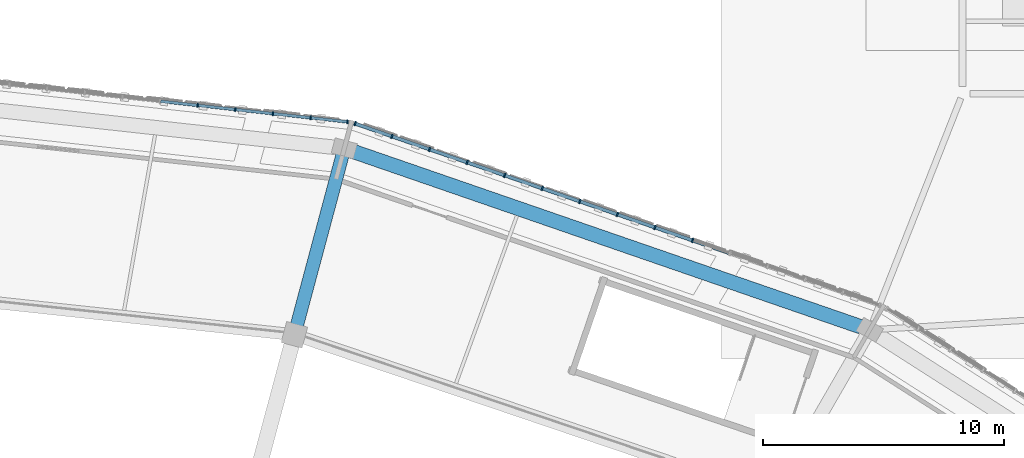
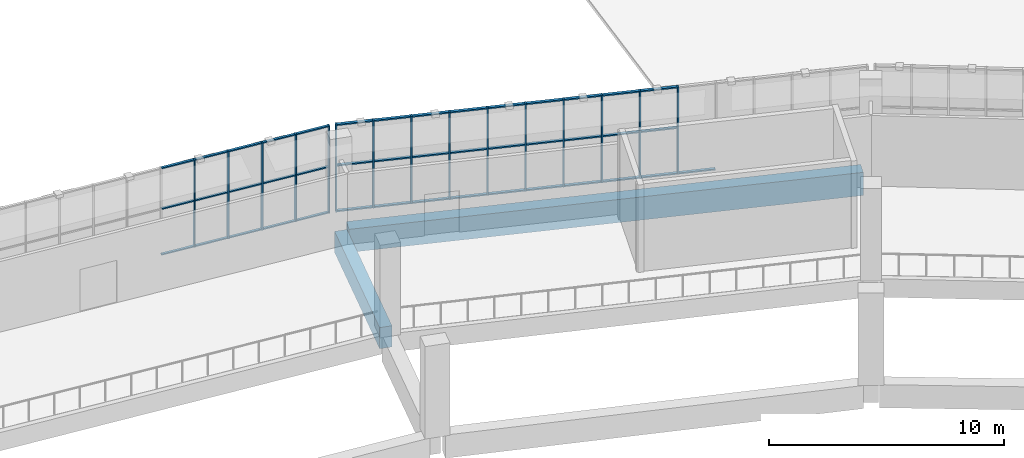
# One storey, part 47 of 108: 58 members, 2 beams, 2 elements without a shape of their own.
"""IFC4 building model written with IfcOpenShell, lengths in metres."""

from ifc_helpers import new_model, si_unit, direction, frame, origin, origin_2d, place, context, subcontext, project, spatial, rectangle, extrude, material, material_profile, profile_set, type_object, element, aggregate, save


model = new_model("IFC4")

# Units and contexts
model_context = context("Model", 3, precision=1e-05, world=origin(), true_north=direction((0.0, 1.0)))
body_context = subcontext(model_context, "Body", "Model", "MODEL_VIEW")
ifc_project = project(units=[si_unit("LENGTHUNIT", "METRE"), si_unit("AREAUNIT", "SQUARE_METRE"), si_unit("VOLUMEUNIT", "CUBIC_METRE"), si_unit("PLANEANGLEUNIT", "RADIAN"), si_unit("MASSUNIT", "GRAM", prefix="KILO")], contexts=[model_context])

# Site, building, storey
site_placement = place(None, origin())
site = spatial("IfcSite", under=ifc_project, at=site_placement, CompositionType="ELEMENT")
building_placement = place(site_placement, origin())
building = spatial("IfcBuilding", under=site, at=building_placement, Name="Zevraka Park Crest Stadium", CompositionType="ELEMENT")
storey_placement = place(building_placement, frame((0.0, 0.0, 19.800048828125)))
storey = spatial("IfcBuildingStorey", under=building, at=storey_placement, Name="L04", CompositionType="ELEMENT", Elevation=19.800048828125)

# Beam
ifc_material_1 = material(Name="Concrete C40/50", Category="concrete")
ifc_material_profile_1 = material_profile(ifc_material_1, rectangle(XDim=0.550048828125, YDim=1.10009765625, at=origin_2d()), Name="RC 1100x550")
ifc_profile_set_1 = profile_set([ifc_material_profile_1], Name="Concrete C40/50")
beam_type_1 = type_object("IfcBeamType", Name="BG02", PredefinedType="BEAM", material=ifc_profile_set_1)
beam_1_placement = place(storey_placement, frame((133.37890625, 157.297119140625, -0.56005859375), z_axis=(0.258697599806, 0.965958359276, 0.0), x_axis=(-0.965958359276, 0.258697599806, 0.0)))
element("IfcBeam", 1, at=beam_1_placement, inside=storey, type_object=beam_type_1, Name="Radial Girder BG02 L04-CD-05", PredefinedType="BEAM", context=body_context, shape_type="SweptSolid", body=[
    extrude(rectangle(XDim=0.550048828125, YDim=1.10009765625, at=origin_2d()), origin(), (0.0, 0.0, 1.0), 7.39892578125),
])

# Curtain wall, members
ifc_material_2 = material(Name="Anodised architectural aluminium and laminated safety glass", Category="aluminium")
curtain_wall_type_1 = type_object("IfcCurtainWallType", Name="CW16", PredefinedType="NOTDEFINED", material=ifc_material_2)
curtain_wall_1_placement = place(storey_placement, origin())
curtain_wall_1 = element("IfcCurtainWall", 2, at=curtain_wall_1_placement, inside=storey, type_object=curtain_wall_type_1, Name="Unitised Ring Curtain Wall CW16 L04-05", PredefinedType="NOTDEFINED")
ifc_material_3 = material(Name="Anodised architectural aluminium", Category="aluminium")
ifc_material_profile_2 = material_profile(ifc_material_3, rectangle(XDim=0.159912109375, YDim=0.06005859375, at=origin_2d()), Name="ALU MULLION 160x60")
ifc_profile_set_2 = profile_set([ifc_material_profile_2], Name="Anodised architectural aluminium")
member_type_1 = type_object("IfcMemberType", Name="CM01", PredefinedType="MULLION", material=ifc_profile_set_2)
member_1_placement = place(storey_placement, frame((135.504150390625, 165.832275390625, 0.0), z_axis=(0.0, 0.0, 1.0), x_axis=(-0.109405941967, -0.993997152844, 0.0)))
member_1 = element("IfcMember", 3, at=member_1_placement, type_object=member_type_1, Name="CW16 mullion 1", PredefinedType="MULLION", context=body_context, shape_type="SweptSolid", body=[
    extrude(rectangle(XDim=0.159912109375, YDim=0.06005859375, at=origin_2d()), origin(), (0.0, 0.0, 1.0), 4.5400390625),
])
member_2_placement = place(storey_placement, frame((133.9736328125, 166.000732421875, 0.0), z_axis=(0.0, 0.0, 1.0), x_axis=(-0.109405941967, -0.993997152844, 0.0)))
member_2 = element("IfcMember", 4, at=member_2_placement, type_object=member_type_1, Name="CW16 mullion 2", PredefinedType="MULLION", context=body_context, shape_type="SweptSolid", body=[
    extrude(rectangle(XDim=0.159912109375, YDim=0.06005859375, at=origin_2d()), origin(), (0.0, 0.0, 1.0), 4.5400390625),
])
member_3_placement = place(storey_placement, frame((132.41357421875, 166.17236328125, 0.0), z_axis=(0.0, 0.0, 1.0), x_axis=(-0.109405941967, -0.993997152844, 0.0)))
member_3 = element("IfcMember", 5, at=member_3_placement, type_object=member_type_1, Name="CW16 mullion 3", PredefinedType="MULLION", context=body_context, shape_type="SweptSolid", body=[
    extrude(rectangle(XDim=0.159912109375, YDim=0.06005859375, at=origin_2d()), origin(), (0.0, 0.0, 1.0), 4.5400390625),
])
member_4_placement = place(storey_placement, frame((130.853271484375, 166.34423828125, 0.0), z_axis=(0.0, 0.0, 1.0), x_axis=(-0.109405941967, -0.993997152844, 0.0)))
member_4 = element("IfcMember", 6, at=member_4_placement, type_object=member_type_1, Name="CW16 mullion 4", PredefinedType="MULLION", context=body_context, shape_type="SweptSolid", body=[
    extrude(rectangle(XDim=0.159912109375, YDim=0.06005859375, at=origin_2d()), origin(), (0.0, 0.0, 1.0), 4.5400390625),
])
member_5_placement = place(storey_placement, frame((129.29296875, 166.515869140625, 0.0), z_axis=(0.0, 0.0, 1.0), x_axis=(-0.109405941967, -0.993997152844, 0.0)))
member_5 = element("IfcMember", 7, at=member_5_placement, type_object=member_type_1, Name="CW16 mullion 5", PredefinedType="MULLION", context=body_context, shape_type="SweptSolid", body=[
    extrude(rectangle(XDim=0.159912109375, YDim=0.06005859375, at=origin_2d()), origin(), (0.0, 0.0, 1.0), 4.5400390625),
])

ifc_material_4 = material(Name="Anodised architectural aluminium and laminated safety glass", Category="aluminium")
curtain_wall_type_2 = type_object("IfcCurtainWallType", Name="CW17", PredefinedType="NOTDEFINED", material=ifc_material_4)
curtain_wall_2_placement = place(storey_placement, origin())
curtain_wall_2 = element("IfcCurtainWall", 8, at=curtain_wall_2_placement, inside=storey, type_object=curtain_wall_type_2, Name="Unitised Ring Curtain Wall CW17 L04-04", PredefinedType="NOTDEFINED")
ifc_material_5 = material(Name="Anodised architectural aluminium", Category="aluminium")
ifc_material_profile_3 = material_profile(ifc_material_5, rectangle(XDim=0.179931640625, YDim=0.06494140625, at=origin_2d()), Name="ALU MULLION 180x65")
ifc_profile_set_3 = profile_set([ifc_material_profile_3], Name="Anodised architectural aluminium")
member_type_2 = type_object("IfcMemberType", Name="CM02", PredefinedType="MULLION", material=ifc_profile_set_3)
member_6_placement = place(storey_placement, frame((149.804931640625, 160.917724609375, 0.0), z_axis=(0.0, 0.0, 1.0), x_axis=(-0.327244524523, -0.944939691816, 0.0)))
member_6 = element("IfcMember", 9, at=member_6_placement, type_object=member_type_2, Name="CW17 mullion 6", PredefinedType="MULLION", context=body_context, shape_type="SweptSolid", body=[
    extrude(rectangle(XDim=0.179931640625, YDim=0.06494140625, at=origin_2d()), origin(), (0.0, 0.0, 1.0), 4.5400390625),
])
member_7_placement = place(storey_placement, frame((148.247314453125, 161.45703125, 0.0), z_axis=(0.0, 0.0, 1.0), x_axis=(-0.327244524523, -0.944939691816, 0.0)))
member_7 = element("IfcMember", 10, at=member_7_placement, type_object=member_type_2, Name="CW17 mullion 7", PredefinedType="MULLION", context=body_context, shape_type="SweptSolid", body=[
    extrude(rectangle(XDim=0.179931640625, YDim=0.06494140625, at=origin_2d()), origin(), (0.0, 0.0, 1.0), 4.5400390625),
])
member_8_placement = place(storey_placement, frame((146.68994140625, 161.99658203125, 0.0), z_axis=(0.0, 0.0, 1.0), x_axis=(-0.327244524523, -0.944939691816, 0.0)))
member_8 = element("IfcMember", 11, at=member_8_placement, type_object=member_type_2, Name="CW17 mullion 8", PredefinedType="MULLION", context=body_context, shape_type="SweptSolid", body=[
    extrude(rectangle(XDim=0.179931640625, YDim=0.06494140625, at=origin_2d()), origin(), (0.0, 0.0, 1.0), 4.5400390625),
])
member_9_placement = place(storey_placement, frame((145.132568359375, 162.535888671875, 0.0), z_axis=(0.0, 0.0, 1.0), x_axis=(-0.327244524523, -0.944939691816, 0.0)))
member_9 = element("IfcMember", 12, at=member_9_placement, type_object=member_type_2, Name="CW17 mullion 9", PredefinedType="MULLION", context=body_context, shape_type="SweptSolid", body=[
    extrude(rectangle(XDim=0.179931640625, YDim=0.06494140625, at=origin_2d()), origin(), (0.0, 0.0, 1.0), 4.5400390625),
])
member_10_placement = place(storey_placement, frame((143.5751953125, 163.0751953125, 0.0), z_axis=(0.0, 0.0, 1.0), x_axis=(-0.327244524523, -0.944939691816, 0.0)))
member_10 = element("IfcMember", 13, at=member_10_placement, type_object=member_type_2, Name="CW17 mullion 10", PredefinedType="MULLION", context=body_context, shape_type="SweptSolid", body=[
    extrude(rectangle(XDim=0.179931640625, YDim=0.06494140625, at=origin_2d()), origin(), (0.0, 0.0, 1.0), 4.5400390625),
])
member_11_placement = place(storey_placement, frame((142.017822265625, 163.614501953125, 0.0), z_axis=(0.0, 0.0, 1.0), x_axis=(-0.327244524523, -0.944939691816, 0.0)))
member_11 = element("IfcMember", 14, at=member_11_placement, type_object=member_type_2, Name="CW17 mullion 11", PredefinedType="MULLION", context=body_context, shape_type="SweptSolid", body=[
    extrude(rectangle(XDim=0.179931640625, YDim=0.06494140625, at=origin_2d()), origin(), (0.0, 0.0, 1.0), 4.5400390625),
])
member_12_placement = place(storey_placement, frame((140.460205078125, 164.15380859375, 0.0), z_axis=(0.0, 0.0, 1.0), x_axis=(-0.327244524523, -0.944939691816, 0.0)))
member_12 = element("IfcMember", 15, at=member_12_placement, type_object=member_type_2, Name="CW17 mullion 12", PredefinedType="MULLION", context=body_context, shape_type="SweptSolid", body=[
    extrude(rectangle(XDim=0.179931640625, YDim=0.06494140625, at=origin_2d()), origin(), (0.0, 0.0, 1.0), 4.5400390625),
])
member_13_placement = place(storey_placement, frame((138.90283203125, 164.693359375, 0.0), z_axis=(0.0, 0.0, 1.0), x_axis=(-0.327244524523, -0.944939691816, 0.0)))
member_13 = element("IfcMember", 16, at=member_13_placement, type_object=member_type_2, Name="CW17 mullion 13", PredefinedType="MULLION", context=body_context, shape_type="SweptSolid", body=[
    extrude(rectangle(XDim=0.179931640625, YDim=0.06494140625, at=origin_2d()), origin(), (0.0, 0.0, 1.0), 4.5400390625),
])
member_14_placement = place(storey_placement, frame((137.345458984375, 165.232666015625, 0.0), z_axis=(0.0, 0.0, 1.0), x_axis=(-0.327244524523, -0.944939691816, 0.0)))
member_14 = element("IfcMember", 17, at=member_14_placement, type_object=member_type_2, Name="CW17 mullion 14", PredefinedType="MULLION", context=body_context, shape_type="SweptSolid", body=[
    extrude(rectangle(XDim=0.179931640625, YDim=0.06494140625, at=origin_2d()), origin(), (0.0, 0.0, 1.0), 4.5400390625),
])
member_15_placement = place(storey_placement, frame((135.818603515625, 165.761474609375, 0.0), z_axis=(0.0, 0.0, 1.0), x_axis=(-0.327244524523, -0.944939691816, 0.0)))
member_15 = element("IfcMember", 18, at=member_15_placement, type_object=member_type_2, Name="CW17 mullion 15", PredefinedType="MULLION", context=body_context, shape_type="SweptSolid", body=[
    extrude(rectangle(XDim=0.179931640625, YDim=0.06494140625, at=origin_2d()), origin(), (0.0, 0.0, 1.0), 4.5400390625),
])

# Member
ifc_material_6 = material(Name="Anodised architectural aluminium", Category="aluminium")
ifc_material_profile_4 = material_profile(ifc_material_6, rectangle(XDim=0.1201171875, YDim=0.06005859375, at=origin_2d()), Name="ALU TRANSOM 120x60")
ifc_profile_set_4 = profile_set([ifc_material_profile_4], Name="Anodised architectural aluminium")
member_type_3 = type_object("IfcMemberType", Name="CT01", PredefinedType="USERDEFINED", material=ifc_profile_set_4)
member_16_placement = place(storey_placement, frame((135.474365234375, 165.83544921875, 0.030029296875), z_axis=(-0.993979941823, 0.109562198103, 0.0), x_axis=(-0.109562198103, -0.993979941823, 0.0)))
member_16 = element("IfcMember", 19, at=member_16_placement, type_object=member_type_3, Name="CW16 transom 1.1", ObjectType="TRANSOM", PredefinedType="USERDEFINED", context=body_context, shape_type="SweptSolid", body=[
    extrude(rectangle(XDim=0.1201171875, YDim=0.06005859375, at=origin_2d()), origin(), (0.0, 0.0, 1.0), 1.4794921875),
])

member_17_placement = place(storey_placement, frame((135.474365234375, 165.83544921875, 2.39990234375), z_axis=(-0.993979941823, 0.109562198103, 0.0), x_axis=(-0.109562198103, -0.993979941823, 0.0)))
member_17 = element("IfcMember", 20, at=member_17_placement, type_object=member_type_3, Name="CW16 transom 1.2", ObjectType="TRANSOM", PredefinedType="USERDEFINED", context=body_context, shape_type="SweptSolid", body=[
    extrude(rectangle(XDim=0.1201171875, YDim=0.06005859375, at=origin_2d()), origin(), (0.0, 0.0, 1.0), 1.4794921875),
])

member_18_placement = place(storey_placement, frame((135.474365234375, 165.83544921875, 4.510009765625), z_axis=(-0.993979941823, 0.109562198103, 0.0), x_axis=(-0.109562198103, -0.993979941823, 0.0)))
member_18 = element("IfcMember", 21, at=member_18_placement, type_object=member_type_3, Name="CW16 transom 1.3", ObjectType="TRANSOM", PredefinedType="USERDEFINED", context=body_context, shape_type="SweptSolid", body=[
    extrude(rectangle(XDim=0.1201171875, YDim=0.06005859375, at=origin_2d()), origin(), (0.0, 0.0, 1.0), 1.4794921875),
])

member_19_placement = place(storey_placement, frame((133.94384765625, 166.00390625, 0.030029296875), z_axis=(-0.993987821711, 0.10949068586, 0.0), x_axis=(-0.10949068586, -0.993987821711, 0.0)))
member_19 = element("IfcMember", 22, at=member_19_placement, type_object=member_type_3, Name="CW16 transom 2.1", ObjectType="TRANSOM", PredefinedType="USERDEFINED", context=body_context, shape_type="SweptSolid", body=[
    extrude(rectangle(XDim=0.1201171875, YDim=0.06005859375, at=origin_2d()), origin(), (0.0, 0.0, 1.0), 1.509521484375),
])

member_20_placement = place(storey_placement, frame((133.94384765625, 166.00390625, 2.39990234375), z_axis=(-0.993987821711, 0.10949068586, 0.0), x_axis=(-0.10949068586, -0.993987821711, 0.0)))
member_20 = element("IfcMember", 23, at=member_20_placement, type_object=member_type_3, Name="CW16 transom 2.2", ObjectType="TRANSOM", PredefinedType="USERDEFINED", context=body_context, shape_type="SweptSolid", body=[
    extrude(rectangle(XDim=0.1201171875, YDim=0.06005859375, at=origin_2d()), origin(), (0.0, 0.0, 1.0), 1.509521484375),
])

member_21_placement = place(storey_placement, frame((133.94384765625, 166.00390625, 4.510009765625), z_axis=(-0.993987821711, 0.10949068586, 0.0), x_axis=(-0.10949068586, -0.993987821711, 0.0)))
member_21 = element("IfcMember", 24, at=member_21_placement, type_object=member_type_3, Name="CW16 transom 2.3", ObjectType="TRANSOM", PredefinedType="USERDEFINED", context=body_context, shape_type="SweptSolid", body=[
    extrude(rectangle(XDim=0.1201171875, YDim=0.06005859375, at=origin_2d()), origin(), (0.0, 0.0, 1.0), 1.509521484375),
])

member_22_placement = place(storey_placement, frame((132.383544921875, 166.17578125, 0.030029296875), z_axis=(-0.994005410559, 0.109330891236, 0.0), x_axis=(-0.109330891236, -0.994005410559, 0.0)))
member_22 = element("IfcMember", 25, at=member_22_placement, type_object=member_type_3, Name="CW16 transom 3.1", ObjectType="TRANSOM", PredefinedType="USERDEFINED", context=body_context, shape_type="SweptSolid", body=[
    extrude(rectangle(XDim=0.1201171875, YDim=0.06005859375, at=origin_2d()), origin(), (0.0, 0.0, 1.0), 1.509521484375),
])

member_23_placement = place(storey_placement, frame((132.383544921875, 166.17578125, 2.39990234375), z_axis=(-0.994005410559, 0.109330891236, 0.0), x_axis=(-0.109330891236, -0.994005410559, 0.0)))
member_23 = element("IfcMember", 26, at=member_23_placement, type_object=member_type_3, Name="CW16 transom 3.2", ObjectType="TRANSOM", PredefinedType="USERDEFINED", context=body_context, shape_type="SweptSolid", body=[
    extrude(rectangle(XDim=0.1201171875, YDim=0.06005859375, at=origin_2d()), origin(), (0.0, 0.0, 1.0), 1.509521484375),
])

member_24_placement = place(storey_placement, frame((132.383544921875, 166.17578125, 4.510009765625), z_axis=(-0.994005410559, 0.109330891236, 0.0), x_axis=(-0.109330891236, -0.994005410559, 0.0)))
member_24 = element("IfcMember", 27, at=member_24_placement, type_object=member_type_3, Name="CW16 transom 3.3", ObjectType="TRANSOM", PredefinedType="USERDEFINED", context=body_context, shape_type="SweptSolid", body=[
    extrude(rectangle(XDim=0.1201171875, YDim=0.06005859375, at=origin_2d()), origin(), (0.0, 0.0, 1.0), 1.509521484375),
])

member_25_placement = place(storey_placement, frame((130.823486328125, 166.347412109375, 0.030029296875), z_axis=(-0.993989760088, 0.109473087291, 0.0), x_axis=(-0.109473087291, -0.993989760088, 0.0)))
member_25 = element("IfcMember", 28, at=member_25_placement, type_object=member_type_3, Name="CW16 transom 4.1", ObjectType="TRANSOM", PredefinedType="USERDEFINED", context=body_context, shape_type="SweptSolid", body=[
    extrude(rectangle(XDim=0.1201171875, YDim=0.06005859375, at=origin_2d()), origin(), (0.0, 0.0, 1.0), 1.509765625),
])

member_26_placement = place(storey_placement, frame((130.823486328125, 166.347412109375, 2.39990234375), z_axis=(-0.993989760088, 0.109473087291, 0.0), x_axis=(-0.109473087291, -0.993989760088, 0.0)))
member_26 = element("IfcMember", 29, at=member_26_placement, type_object=member_type_3, Name="CW16 transom 4.2", ObjectType="TRANSOM", PredefinedType="USERDEFINED", context=body_context, shape_type="SweptSolid", body=[
    extrude(rectangle(XDim=0.1201171875, YDim=0.06005859375, at=origin_2d()), origin(), (0.0, 0.0, 1.0), 1.509765625),
])

member_27_placement = place(storey_placement, frame((130.823486328125, 166.347412109375, 4.510009765625), z_axis=(-0.993989760088, 0.109473087291, 0.0), x_axis=(-0.109473087291, -0.993989760088, 0.0)))
member_27 = element("IfcMember", 30, at=member_27_placement, type_object=member_type_3, Name="CW16 transom 4.3", ObjectType="TRANSOM", PredefinedType="USERDEFINED", context=body_context, shape_type="SweptSolid", body=[
    extrude(rectangle(XDim=0.1201171875, YDim=0.06005859375, at=origin_2d()), origin(), (0.0, 0.0, 1.0), 1.509765625),
])

member_28_placement = place(storey_placement, frame((129.26318359375, 166.519287109375, 0.030029296875), z_axis=(-0.994007343316, 0.109313317729, 0.0), x_axis=(-0.109313317729, -0.994007343316, 0.0)))
member_28 = element("IfcMember", 31, at=member_28_placement, type_object=member_type_3, Name="CW16 transom 5.1", ObjectType="TRANSOM", PredefinedType="USERDEFINED", context=body_context, shape_type="SweptSolid", body=[
    extrude(rectangle(XDim=0.1201171875, YDim=0.06005859375, at=origin_2d()), origin(), (0.0, 0.0, 1.0), 1.509765625),
])

member_29_placement = place(storey_placement, frame((129.26318359375, 166.519287109375, 2.39990234375), z_axis=(-0.994007343316, 0.109313317729, 0.0), x_axis=(-0.109313317729, -0.994007343316, 0.0)))
member_29 = element("IfcMember", 32, at=member_29_placement, type_object=member_type_3, Name="CW16 transom 5.2", ObjectType="TRANSOM", PredefinedType="USERDEFINED", context=body_context, shape_type="SweptSolid", body=[
    extrude(rectangle(XDim=0.1201171875, YDim=0.06005859375, at=origin_2d()), origin(), (0.0, 0.0, 1.0), 1.509765625),
])

member_30_placement = place(storey_placement, frame((129.26318359375, 166.519287109375, 4.510009765625), z_axis=(-0.994007343316, 0.109313317729, 0.0), x_axis=(-0.109313317729, -0.994007343316, 0.0)))
member_30 = element("IfcMember", 33, at=member_30_placement, type_object=member_type_3, Name="CW16 transom 5.3", ObjectType="TRANSOM", PredefinedType="USERDEFINED", context=body_context, shape_type="SweptSolid", body=[
    extrude(rectangle(XDim=0.1201171875, YDim=0.06005859375, at=origin_2d()), origin(), (0.0, 0.0, 1.0), 1.509765625),
])

aggregate(curtain_wall_1, [member_1, member_2, member_3, member_4, member_5, member_16, member_17, member_18, member_19, member_20, member_21, member_22, member_23, member_24, member_25, member_26, member_27, member_28, member_29, member_30])

ifc_material_7 = material(Name="Anodised architectural aluminium", Category="aluminium")
ifc_material_profile_5 = material_profile(ifc_material_7, rectangle(XDim=0.139892578125, YDim=0.06494140625, at=origin_2d()), Name="ALU TRANSOM 140x65")
ifc_profile_set_5 = profile_set([ifc_material_profile_5], Name="Anodised architectural aluminium")
member_type_4 = type_object("IfcMemberType", Name="CT02", PredefinedType="USERDEFINED", material=ifc_profile_set_5)
member_31_placement = place(storey_placement, frame((151.33154296875, 160.38916015625, 0.032470703125), z_axis=(-0.94494940126, 0.327216486533, 0.0), x_axis=(-0.327216486533, -0.94494940126, 0.0)))
member_31 = element("IfcMember", 34, at=member_31_placement, type_object=member_type_4, Name="CW17 transom 5.1", ObjectType="TRANSOM", PredefinedType="USERDEFINED", context=body_context, shape_type="SweptSolid", body=[
    extrude(rectangle(XDim=0.139892578125, YDim=0.06494140625, at=origin_2d()), origin(), (0.0, 0.0, 1.0), 1.583251953125),
])

member_32_placement = place(storey_placement, frame((149.774169921875, 160.928466796875, 0.032470703125), z_axis=(-0.94494940126, 0.327216486533, 0.0), x_axis=(-0.327216486533, -0.94494940126, 0.0)))
member_32 = element("IfcMember", 35, at=member_32_placement, type_object=member_type_4, Name="CW17 transom 6.1", ObjectType="TRANSOM", PredefinedType="USERDEFINED", context=body_context, shape_type="SweptSolid", body=[
    extrude(rectangle(XDim=0.139892578125, YDim=0.06494140625, at=origin_2d()), origin(), (0.0, 0.0, 1.0), 1.583251953125),
])

member_33_placement = place(storey_placement, frame((149.774169921875, 160.928466796875, 2.39990234375), z_axis=(-0.94494940126, 0.327216486533, 0.0), x_axis=(-0.327216486533, -0.94494940126, 0.0)))
member_33 = element("IfcMember", 36, at=member_33_placement, type_object=member_type_4, Name="CW17 transom 6.2", ObjectType="TRANSOM", PredefinedType="USERDEFINED", context=body_context, shape_type="SweptSolid", body=[
    extrude(rectangle(XDim=0.139892578125, YDim=0.06494140625, at=origin_2d()), origin(), (0.0, 0.0, 1.0), 1.583251953125),
])

member_34_placement = place(storey_placement, frame((149.774169921875, 160.928466796875, 4.507568359375), z_axis=(-0.94494940126, 0.327216486533, 0.0), x_axis=(-0.327216486533, -0.94494940126, 0.0)))
member_34 = element("IfcMember", 37, at=member_34_placement, type_object=member_type_4, Name="CW17 transom 6.3", ObjectType="TRANSOM", PredefinedType="USERDEFINED", context=body_context, shape_type="SweptSolid", body=[
    extrude(rectangle(XDim=0.139892578125, YDim=0.06494140625, at=origin_2d()), origin(), (0.0, 0.0, 1.0), 1.583251953125),
])

member_35_placement = place(storey_placement, frame((148.216796875, 161.4677734375, 0.032470703125), z_axis=(-0.94494940126, 0.327216486533, 0.0), x_axis=(-0.327216486533, -0.94494940126, 0.0)))
member_35 = element("IfcMember", 38, at=member_35_placement, type_object=member_type_4, Name="CW17 transom 7.1", ObjectType="TRANSOM", PredefinedType="USERDEFINED", context=body_context, shape_type="SweptSolid", body=[
    extrude(rectangle(XDim=0.139892578125, YDim=0.06494140625, at=origin_2d()), origin(), (0.0, 0.0, 1.0), 1.583251953125),
])

member_36_placement = place(storey_placement, frame((148.216796875, 161.4677734375, 2.39990234375), z_axis=(-0.94494940126, 0.327216486533, 0.0), x_axis=(-0.327216486533, -0.94494940126, 0.0)))
member_36 = element("IfcMember", 39, at=member_36_placement, type_object=member_type_4, Name="CW17 transom 7.2", ObjectType="TRANSOM", PredefinedType="USERDEFINED", context=body_context, shape_type="SweptSolid", body=[
    extrude(rectangle(XDim=0.139892578125, YDim=0.06494140625, at=origin_2d()), origin(), (0.0, 0.0, 1.0), 1.583251953125),
])

member_37_placement = place(storey_placement, frame((148.216796875, 161.4677734375, 4.507568359375), z_axis=(-0.94494940126, 0.327216486533, 0.0), x_axis=(-0.327216486533, -0.94494940126, 0.0)))
member_37 = element("IfcMember", 40, at=member_37_placement, type_object=member_type_4, Name="CW17 transom 7.3", ObjectType="TRANSOM", PredefinedType="USERDEFINED", context=body_context, shape_type="SweptSolid", body=[
    extrude(rectangle(XDim=0.139892578125, YDim=0.06494140625, at=origin_2d()), origin(), (0.0, 0.0, 1.0), 1.583251953125),
])

member_38_placement = place(storey_placement, frame((146.6591796875, 162.007080078125, 0.032470703125), z_axis=(-0.944932887153, 0.327264172766, 0.0), x_axis=(-0.327264172766, -0.944932887153, 0.0)))
member_38 = element("IfcMember", 41, at=member_38_placement, type_object=member_type_4, Name="CW17 transom 8.1", ObjectType="TRANSOM", PredefinedType="USERDEFINED", context=body_context, shape_type="SweptSolid", body=[
    extrude(rectangle(XDim=0.139892578125, YDim=0.06494140625, at=origin_2d()), origin(), (0.0, 0.0, 1.0), 1.5830078125),
])

member_39_placement = place(storey_placement, frame((146.6591796875, 162.007080078125, 2.39990234375), z_axis=(-0.944932887153, 0.327264172766, 0.0), x_axis=(-0.327264172766, -0.944932887153, 0.0)))
member_39 = element("IfcMember", 42, at=member_39_placement, type_object=member_type_4, Name="CW17 transom 8.2", ObjectType="TRANSOM", PredefinedType="USERDEFINED", context=body_context, shape_type="SweptSolid", body=[
    extrude(rectangle(XDim=0.139892578125, YDim=0.06494140625, at=origin_2d()), origin(), (0.0, 0.0, 1.0), 1.5830078125),
])

member_40_placement = place(storey_placement, frame((146.6591796875, 162.007080078125, 4.507568359375), z_axis=(-0.944932887153, 0.327264172766, 0.0), x_axis=(-0.327264172766, -0.944932887153, 0.0)))
member_40 = element("IfcMember", 43, at=member_40_placement, type_object=member_type_4, Name="CW17 transom 8.3", ObjectType="TRANSOM", PredefinedType="USERDEFINED", context=body_context, shape_type="SweptSolid", body=[
    extrude(rectangle(XDim=0.139892578125, YDim=0.06494140625, at=origin_2d()), origin(), (0.0, 0.0, 1.0), 1.5830078125),
])

member_41_placement = place(storey_placement, frame((145.101806640625, 162.54638671875, 0.032470703125), z_axis=(-0.944885186761, 0.327401869021, 0.0), x_axis=(-0.327401869021, -0.944885186761, 0.0)))
member_41 = element("IfcMember", 44, at=member_41_placement, type_object=member_type_4, Name="CW17 transom 9.1", ObjectType="TRANSOM", PredefinedType="USERDEFINED", context=body_context, shape_type="SweptSolid", body=[
    extrude(rectangle(XDim=0.139892578125, YDim=0.06494140625, at=origin_2d()), origin(), (0.0, 0.0, 1.0), 1.5830078125),
])

member_42_placement = place(storey_placement, frame((145.101806640625, 162.54638671875, 2.39990234375), z_axis=(-0.944885186761, 0.327401869021, 0.0), x_axis=(-0.327401869021, -0.944885186761, 0.0)))
member_42 = element("IfcMember", 45, at=member_42_placement, type_object=member_type_4, Name="CW17 transom 9.2", ObjectType="TRANSOM", PredefinedType="USERDEFINED", context=body_context, shape_type="SweptSolid", body=[
    extrude(rectangle(XDim=0.139892578125, YDim=0.06494140625, at=origin_2d()), origin(), (0.0, 0.0, 1.0), 1.5830078125),
])

member_43_placement = place(storey_placement, frame((145.101806640625, 162.54638671875, 4.507568359375), z_axis=(-0.944885186761, 0.327401869021, 0.0), x_axis=(-0.327401869021, -0.944885186761, 0.0)))
member_43 = element("IfcMember", 46, at=member_43_placement, type_object=member_type_4, Name="CW17 transom 9.3", ObjectType="TRANSOM", PredefinedType="USERDEFINED", context=body_context, shape_type="SweptSolid", body=[
    extrude(rectangle(XDim=0.139892578125, YDim=0.06494140625, at=origin_2d()), origin(), (0.0, 0.0, 1.0), 1.5830078125),
])

member_44_placement = place(storey_placement, frame((143.54443359375, 163.0859375, 0.032470703125), z_axis=(-0.94494940126, 0.327216486533, 0.0), x_axis=(-0.327216486533, -0.94494940126, 0.0)))
member_44 = element("IfcMember", 47, at=member_44_placement, type_object=member_type_4, Name="CW17 transom 10.1", ObjectType="TRANSOM", PredefinedType="USERDEFINED", context=body_context, shape_type="SweptSolid", body=[
    extrude(rectangle(XDim=0.139892578125, YDim=0.06494140625, at=origin_2d()), origin(), (0.0, 0.0, 1.0), 1.583251953125),
])

member_45_placement = place(storey_placement, frame((143.54443359375, 163.0859375, 2.39990234375), z_axis=(-0.94494940126, 0.327216486533, 0.0), x_axis=(-0.327216486533, -0.94494940126, 0.0)))
member_45 = element("IfcMember", 48, at=member_45_placement, type_object=member_type_4, Name="CW17 transom 10.2", ObjectType="TRANSOM", PredefinedType="USERDEFINED", context=body_context, shape_type="SweptSolid", body=[
    extrude(rectangle(XDim=0.139892578125, YDim=0.06494140625, at=origin_2d()), origin(), (0.0, 0.0, 1.0), 1.583251953125),
])

member_46_placement = place(storey_placement, frame((143.54443359375, 163.0859375, 4.507568359375), z_axis=(-0.94494940126, 0.327216486533, 0.0), x_axis=(-0.327216486533, -0.94494940126, 0.0)))
member_46 = element("IfcMember", 49, at=member_46_placement, type_object=member_type_4, Name="CW17 transom 10.3", ObjectType="TRANSOM", PredefinedType="USERDEFINED", context=body_context, shape_type="SweptSolid", body=[
    extrude(rectangle(XDim=0.139892578125, YDim=0.06494140625, at=origin_2d()), origin(), (0.0, 0.0, 1.0), 1.583251953125),
])

member_47_placement = place(storey_placement, frame((141.987060546875, 163.625244140625, 0.032470703125), z_axis=(-0.94494940126, 0.327216486533, 0.0), x_axis=(-0.327216486533, -0.94494940126, 0.0)))
member_47 = element("IfcMember", 50, at=member_47_placement, type_object=member_type_4, Name="CW17 transom 11.1", ObjectType="TRANSOM", PredefinedType="USERDEFINED", context=body_context, shape_type="SweptSolid", body=[
    extrude(rectangle(XDim=0.139892578125, YDim=0.06494140625, at=origin_2d()), origin(), (0.0, 0.0, 1.0), 1.583251953125),
])

member_48_placement = place(storey_placement, frame((141.987060546875, 163.625244140625, 2.39990234375), z_axis=(-0.94494940126, 0.327216486533, 0.0), x_axis=(-0.327216486533, -0.94494940126, 0.0)))
member_48 = element("IfcMember", 51, at=member_48_placement, type_object=member_type_4, Name="CW17 transom 11.2", ObjectType="TRANSOM", PredefinedType="USERDEFINED", context=body_context, shape_type="SweptSolid", body=[
    extrude(rectangle(XDim=0.139892578125, YDim=0.06494140625, at=origin_2d()), origin(), (0.0, 0.0, 1.0), 1.583251953125),
])

member_49_placement = place(storey_placement, frame((141.987060546875, 163.625244140625, 4.507568359375), z_axis=(-0.94494940126, 0.327216486533, 0.0), x_axis=(-0.327216486533, -0.94494940126, 0.0)))
member_49 = element("IfcMember", 52, at=member_49_placement, type_object=member_type_4, Name="CW17 transom 11.3", ObjectType="TRANSOM", PredefinedType="USERDEFINED", context=body_context, shape_type="SweptSolid", body=[
    extrude(rectangle(XDim=0.139892578125, YDim=0.06494140625, at=origin_2d()), origin(), (0.0, 0.0, 1.0), 1.583251953125),
])

member_50_placement = place(storey_placement, frame((140.4296875, 164.16455078125, 0.032470703125), z_axis=(-0.94494940126, 0.327216486533, 0.0), x_axis=(-0.327216486533, -0.94494940126, 0.0)))
member_50 = element("IfcMember", 53, at=member_50_placement, type_object=member_type_4, Name="CW17 transom 12.1", ObjectType="TRANSOM", PredefinedType="USERDEFINED", context=body_context, shape_type="SweptSolid", body=[
    extrude(rectangle(XDim=0.139892578125, YDim=0.06494140625, at=origin_2d()), origin(), (0.0, 0.0, 1.0), 1.583251953125),
])

member_51_placement = place(storey_placement, frame((140.4296875, 164.16455078125, 2.39990234375), z_axis=(-0.94494940126, 0.327216486533, 0.0), x_axis=(-0.327216486533, -0.94494940126, 0.0)))
member_51 = element("IfcMember", 54, at=member_51_placement, type_object=member_type_4, Name="CW17 transom 12.2", ObjectType="TRANSOM", PredefinedType="USERDEFINED", context=body_context, shape_type="SweptSolid", body=[
    extrude(rectangle(XDim=0.139892578125, YDim=0.06494140625, at=origin_2d()), origin(), (0.0, 0.0, 1.0), 1.583251953125),
])

member_52_placement = place(storey_placement, frame((140.4296875, 164.16455078125, 4.507568359375), z_axis=(-0.94494940126, 0.327216486533, 0.0), x_axis=(-0.327216486533, -0.94494940126, 0.0)))
member_52 = element("IfcMember", 55, at=member_52_placement, type_object=member_type_4, Name="CW17 transom 12.3", ObjectType="TRANSOM", PredefinedType="USERDEFINED", context=body_context, shape_type="SweptSolid", body=[
    extrude(rectangle(XDim=0.139892578125, YDim=0.06494140625, at=origin_2d()), origin(), (0.0, 0.0, 1.0), 1.583251953125),
])

member_53_placement = place(storey_placement, frame((138.8720703125, 164.703857421875, 0.032470703125), z_axis=(-0.944932887153, 0.327264172766, 0.0), x_axis=(-0.327264172766, -0.944932887153, 0.0)))
member_53 = element("IfcMember", 56, at=member_53_placement, type_object=member_type_4, Name="CW17 transom 13.1", ObjectType="TRANSOM", PredefinedType="USERDEFINED", context=body_context, shape_type="SweptSolid", body=[
    extrude(rectangle(XDim=0.139892578125, YDim=0.06494140625, at=origin_2d()), origin(), (0.0, 0.0, 1.0), 1.5830078125),
])

member_54_placement = place(storey_placement, frame((138.8720703125, 164.703857421875, 2.39990234375), z_axis=(-0.944932887153, 0.327264172766, 0.0), x_axis=(-0.327264172766, -0.944932887153, 0.0)))
member_54 = element("IfcMember", 57, at=member_54_placement, type_object=member_type_4, Name="CW17 transom 13.2", ObjectType="TRANSOM", PredefinedType="USERDEFINED", context=body_context, shape_type="SweptSolid", body=[
    extrude(rectangle(XDim=0.139892578125, YDim=0.06494140625, at=origin_2d()), origin(), (0.0, 0.0, 1.0), 1.5830078125),
])

member_55_placement = place(storey_placement, frame((138.8720703125, 164.703857421875, 4.507568359375), z_axis=(-0.944932887153, 0.327264172766, 0.0), x_axis=(-0.327264172766, -0.944932887153, 0.0)))
member_55 = element("IfcMember", 58, at=member_55_placement, type_object=member_type_4, Name="CW17 transom 13.3", ObjectType="TRANSOM", PredefinedType="USERDEFINED", context=body_context, shape_type="SweptSolid", body=[
    extrude(rectangle(XDim=0.139892578125, YDim=0.06494140625, at=origin_2d()), origin(), (0.0, 0.0, 1.0), 1.5830078125),
])

member_56_placement = place(storey_placement, frame((137.314697265625, 165.2431640625, 0.032470703125), z_axis=(-0.944918670821, 0.3273052177, 0.0), x_axis=(-0.3273052177, -0.944918670821, 0.0)))
member_56 = element("IfcMember", 59, at=member_56_placement, type_object=member_type_4, Name="CW17 transom 14.1", ObjectType="TRANSOM", PredefinedType="USERDEFINED", context=body_context, shape_type="SweptSolid", body=[
    extrude(rectangle(XDim=0.139892578125, YDim=0.06494140625, at=origin_2d()), origin(), (0.0, 0.0, 1.0), 1.55078125),
])

member_57_placement = place(storey_placement, frame((137.314697265625, 165.2431640625, 2.39990234375), z_axis=(-0.944918670821, 0.3273052177, 0.0), x_axis=(-0.3273052177, -0.944918670821, 0.0)))
member_57 = element("IfcMember", 60, at=member_57_placement, type_object=member_type_4, Name="CW17 transom 14.2", ObjectType="TRANSOM", PredefinedType="USERDEFINED", context=body_context, shape_type="SweptSolid", body=[
    extrude(rectangle(XDim=0.139892578125, YDim=0.06494140625, at=origin_2d()), origin(), (0.0, 0.0, 1.0), 1.55078125),
])

member_58_placement = place(storey_placement, frame((137.314697265625, 165.2431640625, 4.507568359375), z_axis=(-0.944918670821, 0.3273052177, 0.0), x_axis=(-0.3273052177, -0.944918670821, 0.0)))
member_58 = element("IfcMember", 61, at=member_58_placement, type_object=member_type_4, Name="CW17 transom 14.3", ObjectType="TRANSOM", PredefinedType="USERDEFINED", context=body_context, shape_type="SweptSolid", body=[
    extrude(rectangle(XDim=0.139892578125, YDim=0.06494140625, at=origin_2d()), origin(), (0.0, 0.0, 1.0), 1.55078125),
])

aggregate(curtain_wall_2, [member_6, member_7, member_8, member_9, member_10, member_11, member_12, member_13, member_14, member_15, member_31, member_32, member_33, member_34, member_35, member_36, member_37, member_38, member_39, member_40, member_41, member_42, member_43, member_44, member_45, member_46, member_47, member_48, member_49, member_50, member_51, member_52, member_53, member_54, member_55, member_56, member_57, member_58])

# Beam
ifc_material_8 = material(Name="Concrete C40/50", Category="concrete")
ifc_material_profile_6 = material_profile(ifc_material_8, rectangle(XDim=0.60009765625, YDim=1.199951171875, at=origin_2d()), Name="RC 1200x600")
ifc_profile_set_6 = profile_set([ifc_material_profile_6], Name="Concrete C40/50")
beam_type_2 = type_object("IfcBeamType", Name="RB01", PredefinedType="BEAM", material=ifc_profile_set_6)
beam_2_placement = place(storey_placement, frame((156.791015625, 157.3359375, -0.610107421875), z_axis=(-0.945210431582, 0.326461697644, 0.0), x_axis=(-0.326461697644, -0.945210431582, 0.0)))
element("IfcBeam", 62, at=beam_2_placement, inside=storey, type_object=beam_type_2, Name="Ring Beam RB01 L04-D-04", PredefinedType="BEAM", context=body_context, shape_type="SweptSolid", body=[
    extrude(rectangle(XDim=0.60009765625, YDim=1.199951171875, at=origin_2d()), origin(), (0.0, 0.0, 1.0), 22.28173828125),
])

save(model, "model.ifc")
